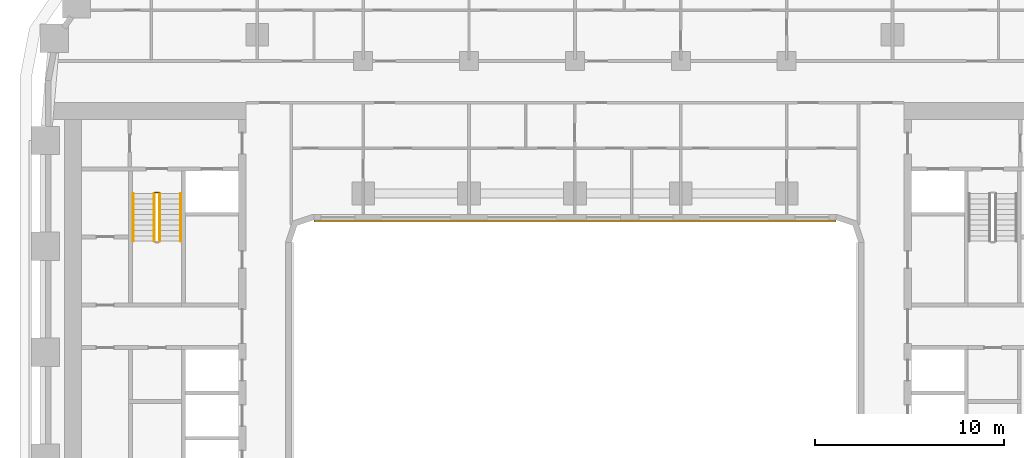
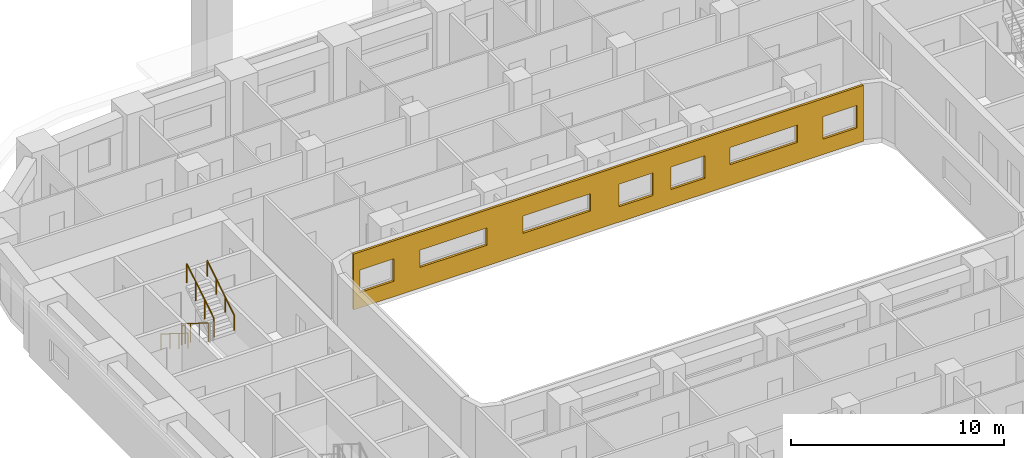
# One storey, part 19 of 21: 5 railings, 1 covering.
"""IFC4 building model written with IfcOpenShell, lengths in metres."""

from ifc_helpers import new_model, si_unit, direction, frame, origin, origin_2d, place, context, subcontext, project, spatial, polyline, circle, outline, extrude, material, layer, layer_set, type_object, element, save


model = new_model("IFC4")

# Units and contexts
model_context = context("Model", 3, precision=1e-05, world=origin(), true_north=direction((0.0, 1.0)))
body_context = subcontext(model_context, "Body", "Model", "MODEL_VIEW")
ifc_project = project(units=[si_unit("LENGTHUNIT", "METRE"), si_unit("AREAUNIT", "SQUARE_METRE"), si_unit("VOLUMEUNIT", "CUBIC_METRE"), si_unit("PLANEANGLEUNIT", "RADIAN"), si_unit("MASSUNIT", "GRAM", prefix="KILO")], contexts=[model_context])

# Site, building, storey
site_placement = place(None, origin())
site = spatial("IfcSite", under=ifc_project, at=site_placement, CompositionType="ELEMENT")
building_placement = place(site_placement, origin())
building = spatial("IfcBuilding", under=site, at=building_placement, Name="Kiln Ring Residences", CompositionType="ELEMENT")
storey_placement = place(building_placement, frame((0.0, 0.0, 51.5)))
storey = spatial("IfcBuildingStorey", under=building, at=storey_placement, Name="L12", CompositionType="ELEMENT", Elevation=51.5)

# Railings
ifc_material_1 = material(Name="Stainless steel", Category="steel")
railing_type_1 = type_object("IfcRailingType", Name="CORE-STAIR-GUARD", PredefinedType="GUARDRAIL", material=ifc_material_1)
railing_1_placement = place(storey_placement, frame((-22.25, 8.39990234375, 0.175048828125)))
element("IfcRailing", 1, at=railing_1_placement, inside=storey, type_object=railing_type_1, Name="L12 W-STN stair guard 1", PredefinedType="GUARDRAIL", context=body_context, shape_type="SweptSolid", body=[
    extrude(circle(Radius=0.02392578125, at=origin_2d()), frame((0.0, 0.0, 1.076171875), z_axis=(0.0, -0.848007534815, 0.529984170421), x_axis=(1.0, 0.0, 0.0)), (0.0, 0.0, 1.0), 2.9716796875),
    extrude(circle(Radius=0.02099609375, at=origin_2d()), origin(), (0.0, 0.0, 1.0), 1.052001953125),
    extrude(circle(Radius=0.02099609375, at=origin_2d()), frame((0.0, -0.840087890625, 0.52490234375)), (0.0, 0.0, 1.0), 1.052001953125),
    extrude(circle(Radius=0.02099609375, at=origin_2d()), frame((0.0, -1.679931640625, 1.050048828125)), (0.0, 0.0, 1.0), 1.052001953125),
    extrude(circle(Radius=0.02099609375, at=origin_2d()), frame((0.0, -2.52001953125, 1.574951171875)), (0.0, 0.0, 1.0), 1.052001953125),
])
railing_2_placement = place(storey_placement, frame((-21.949951171875, 5.8798828125, 1.925048828125)))
element("IfcRailing", 2, at=railing_2_placement, inside=storey, type_object=railing_type_1, Name="L12 W-STN stair guard 3", PredefinedType="GUARDRAIL", context=body_context, shape_type="SweptSolid", body=[
    extrude(circle(Radius=0.02392578125, at=origin_2d()), frame((0.0, 0.0, 1.076171875), z_axis=(0.0, 0.848007534815, 0.529984170421), x_axis=(-1.0, 0.0, 0.0)), (0.0, 0.0, 1.0), 2.9716796875),
    extrude(circle(Radius=0.02099609375, at=origin_2d()), origin(), (0.0, 0.0, 1.0), 1.052001953125),
    extrude(circle(Radius=0.02099609375, at=origin_2d()), frame((0.0, 0.840087890625, 0.52490234375)), (0.0, 0.0, 1.0), 1.052001953125),
    extrude(circle(Radius=0.02099609375, at=origin_2d()), frame((0.0, 1.679931640625, 1.050048828125)), (0.0, 0.0, 1.0), 1.052001953125),
    extrude(circle(Radius=0.02099609375, at=origin_2d()), frame((0.0, 2.52001953125, 1.574951171875)), (0.0, 0.0, 1.0), 1.052001953125),
])
railing_3_placement = place(storey_placement, frame((-22.199951171875, 8.449951171875, 0.0)))
element("IfcRailing", 3, at=railing_3_placement, inside=storey, type_object=railing_type_1, Name="L12 W-STN stair guard 4", PredefinedType="GUARDRAIL", context=body_context, shape_type="SweptSolid", body=[
    extrude(circle(Radius=0.02392578125, at=origin_2d()), frame((0.0, 0.0, 1.076171875), z_axis=(1.0, 0.0, 0.0), x_axis=(0.0, 1.0, 0.0)), (0.0, 0.0, 1.0), 0.199951171875),
    extrude(circle(Radius=0.02099609375, at=origin_2d()), origin(), (0.0, 0.0, 1.0), 1.052001953125),
    extrude(circle(Radius=0.02099609375, at=origin_2d()), frame((0.199951171875, 0.0, 0.0)), (0.0, 0.0, 1.0), 1.052001953125),
])
ifc_material_2 = material(Name="Stainless steel", Category="steel")
railing_type_2 = type_object("IfcRailingType", Name="CORE-STAIR-HANDRAIL", PredefinedType="HANDRAIL", material=ifc_material_2)
railing_4_placement = place(storey_placement, frame((-23.35009765625, 8.39990234375, 0.175048828125)))
element("IfcRailing", 4, at=railing_4_placement, inside=storey, type_object=railing_type_2, Name="L12 W-STN stair handrail 1", PredefinedType="HANDRAIL", context=body_context, shape_type="SweptSolid", body=[
    extrude(circle(Radius=0.02392578125, at=origin_2d()), frame((0.0, 0.0, 0.8759765625), z_axis=(0.0, -0.848007534815, 0.529984170421), x_axis=(1.0, 0.0, 0.0)), (0.0, 0.0, 1.0), 2.9716796875),
    extrude(circle(Radius=0.02099609375, at=origin_2d()), origin(), (0.0, 0.0, 1.0), 0.851806640625),
    extrude(circle(Radius=0.02099609375, at=origin_2d()), frame((0.0, -0.840087890625, 0.52490234375)), (0.0, 0.0, 1.0), 0.851806640625),
    extrude(circle(Radius=0.02099609375, at=origin_2d()), frame((0.0, -1.679931640625, 1.050048828125)), (0.0, 0.0, 1.0), 0.851806640625),
    extrude(circle(Radius=0.02099609375, at=origin_2d()), frame((0.0, -2.52001953125, 1.574951171875)), (0.0, 0.0, 1.0), 0.851806640625),
])
railing_5_placement = place(storey_placement, frame((-20.85009765625, 5.8798828125, 1.925048828125)))
element("IfcRailing", 5, at=railing_5_placement, inside=storey, type_object=railing_type_2, Name="L12 W-STN stair handrail 2", PredefinedType="HANDRAIL", context=body_context, shape_type="SweptSolid", body=[
    extrude(circle(Radius=0.02392578125, at=origin_2d()), frame((0.0, 0.0, 0.8759765625), z_axis=(0.0, 0.848007534815, 0.529984170421), x_axis=(-1.0, 0.0, 0.0)), (0.0, 0.0, 1.0), 2.9716796875),
    extrude(circle(Radius=0.02099609375, at=origin_2d()), origin(), (0.0, 0.0, 1.0), 0.851806640625),
    extrude(circle(Radius=0.02099609375, at=origin_2d()), frame((0.0, 0.840087890625, 0.52490234375)), (0.0, 0.0, 1.0), 0.851806640625),
    extrude(circle(Radius=0.02099609375, at=origin_2d()), frame((0.0, 1.679931640625, 1.050048828125)), (0.0, 0.0, 1.0), 0.851806640625),
    extrude(circle(Radius=0.02099609375, at=origin_2d()), frame((0.0, 2.52001953125, 1.574951171875)), (0.0, 0.0, 1.0), 0.851806640625),
])

# Covering
ifc_material_3 = material(Name="Brick masonry, dark clay brick", Category="masonry")
ifc_layer = layer(ifc_material_3, 0.1201171875)
ifc_layer_set = layer_set([ifc_layer], Name="RAINSCREEN PANEL 120")
covering_type = type_object("IfcCoveringType", Name="RAINSCREEN PANEL 120", PredefinedType="CLADDING", material=ifc_layer_set)
covering_placement = place(storey_placement, frame((-13.800048828125, 6.93994140625, 0.0), z_axis=(0.0, 0.0, 1.0), x_axis=(1.0, 0.0, 0.0)))
element("IfcCovering", 6, at=covering_placement, inside=storey, type_object=covering_type, Name="RAINSCREEN L12", PredefinedType="CLADDING", context=body_context, shape_type="SweptSolid", body=[
    extrude(outline(polyline([(0.0, 0.0), (27.60009765625, 0.0), (27.60009765625, 3.199951171875), (0.0, 3.199951171875), (0.0, 0.0)]), holes=[polyline([(2.1826171875, 0.8798828125), (2.1826171875, 2.169921875), (0.342529296875, 2.169921875), (0.342529296875, 0.8798828125), (2.1826171875, 0.8798828125)]), polyline([(14.3798828125, 0.8798828125), (16.219970703125, 0.8798828125), (16.219970703125, 2.169921875), (14.3798828125, 2.169921875), (14.3798828125, 0.8798828125)]), polyline([(17.179931640625, 0.8798828125), (19.02001953125, 0.8798828125), (19.02001953125, 2.169921875), (17.179931640625, 2.169921875), (17.179931640625, 0.8798828125)]), polyline([(25.41748046875, 0.8798828125), (27.257568359375, 0.8798828125), (27.257568359375, 2.169921875), (25.41748046875, 2.169921875), (25.41748046875, 0.8798828125)]), polyline([(3.580078125, 1.179931640625), (7.219970703125, 1.179931640625), (7.219970703125, 2.169921875), (3.580078125, 2.169921875), (3.580078125, 1.179931640625)]), polyline([(9.179931640625, 1.179931640625), (12.820068359375, 1.179931640625), (12.820068359375, 2.169921875), (9.179931640625, 2.169921875), (9.179931640625, 1.179931640625)]), polyline([(20.3798828125, 1.179931640625), (24.02001953125, 1.179931640625), (24.02001953125, 2.169921875), (20.3798828125, 2.169921875), (20.3798828125, 1.179931640625)])]), frame((0.0, 0.06005859375, 0.0), z_axis=(0.0, -1.0, 0.0), x_axis=(1.0, 0.0, 0.0)), (0.0, 0.0, 1.0), 0.1201171875),
])

save(model, "model.ifc")
